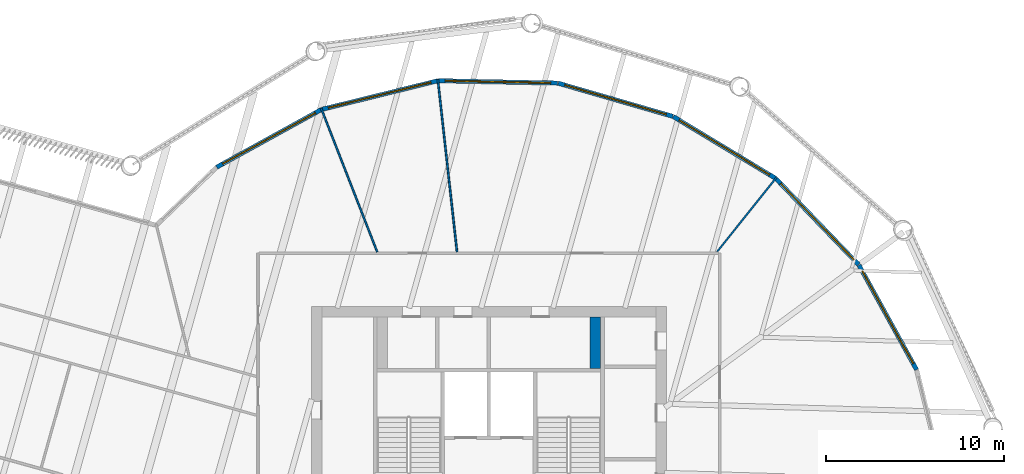
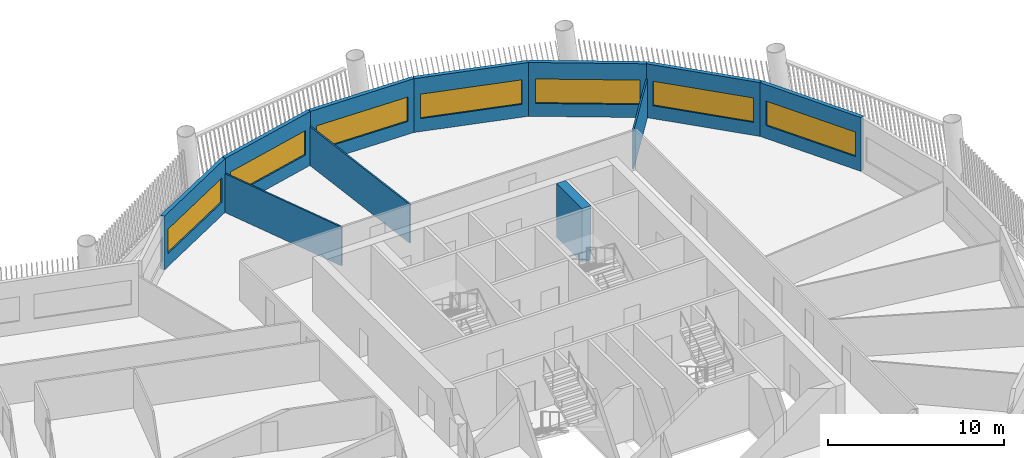
# One storey, part 7 of 15: 11 walls, 7 windows, 7 openings.
"""IFC4 building model written with IfcOpenShell, lengths in metres."""

from ifc_helpers import new_model, si_unit, direction, frame, frame_2d, origin, place, context, subcontext, project, spatial, rectangle, extrude, material, layer, layer_set, type_object, element, fill, save


model = new_model("IFC4")

# Units and contexts
model_context = context("Model", 3, precision=1e-05, world=origin(), true_north=direction((0.0, 1.0)))
body_context = subcontext(model_context, "Body", "Model", "MODEL_VIEW")
ifc_project = project(units=[si_unit("LENGTHUNIT", "METRE"), si_unit("AREAUNIT", "SQUARE_METRE"), si_unit("VOLUMEUNIT", "CUBIC_METRE"), si_unit("PLANEANGLEUNIT", "RADIAN"), si_unit("MASSUNIT", "GRAM", prefix="KILO")], contexts=[model_context])

# Site, building, storey
site_placement = place(None, origin())
site = spatial("IfcSite", under=ifc_project, at=site_placement, CompositionType="ELEMENT")
building_placement = place(site_placement, origin())
building = spatial("IfcBuilding", under=site, at=building_placement, Name="Tarsis Ring Headquarters", CompositionType="ELEMENT")
storey_placement = place(building_placement, frame((0.0, 0.0, 219.89990234375)))
storey = spatial("IfcBuildingStorey", under=building, at=storey_placement, Name="L51", CompositionType="ELEMENT", Elevation=219.89990234375)

# Walls
ifc_material_1 = material(Name="Gypsum board on steel studs", Category="steel")
ifc_layer_1 = layer(ifc_material_1, 0.10009765625)
ifc_layer_set_1 = layer_set([ifc_layer_1], Name="FL partition 100 unrated")
wall_type_1 = type_object("IfcWallType", Name="FL partition 100 unrated", PredefinedType="PARTITIONING", material=ifc_layer_set_1)
wall_1_placement = place(storey_placement, frame((-2.87451171875, 25.7880859375, 0.0), z_axis=(0.0, 0.0, 1.0), x_axis=(0.110801449291, -0.993842562399, 0.0)))
element("IfcWall", 1, at=wall_1_placement, inside=storey, type_object=wall_type_1, Name="Partition PW3", PredefinedType="PARTITIONING", context=body_context, shape_type="SweptSolid", body=[
    extrude(rectangle(XDim=9.77880859375, YDim=0.10009765625, at=frame_2d((4.889404296875, 0.0))), origin(), (0.0, 0.0, 1.0), 2.7001953125),
])
wall_2_placement = place(storey_placement, frame((-9.450927734375, 24.16552734375, 0.0), z_axis=(0.0, 0.0, 1.0), x_axis=(0.364223454374, -0.93131158872, 0.0)))
element("IfcWall", 2, at=wall_2_placement, inside=storey, type_object=wall_type_1, Name="Partition PW3", PredefinedType="PARTITIONING", context=body_context, shape_type="SweptSolid", body=[
    extrude(rectangle(XDim=8.687744140625, YDim=0.10009765625, at=frame_2d((4.34375, 0.0))), origin(), (0.0, 0.0, 1.0), 2.7001953125),
])
wall_3_placement = place(storey_placement, frame((12.859619140625, 16.0859375, 0.0), z_axis=(0.0, 0.0, 1.0), x_axis=(0.624405810541, 0.781100111229, 0.0)))
element("IfcWall", 3, at=wall_3_placement, inside=storey, type_object=wall_type_1, Name="Partition PW3", PredefinedType="PARTITIONING", context=body_context, shape_type="SweptSolid", body=[
    extrude(rectangle(XDim=5.353515625, YDim=0.10009765625, at=frame_2d((2.6767578125, 0.0))), origin(), (0.0, 0.0, 1.0), 2.7001953125),
])

# Wall, opening, window
ifc_material_2 = material(Name="Terracotta clad insulated panel wall", Category="masonry")
ifc_layer_2 = layer(ifc_material_2, 0.25)
ifc_layer_set_2 = layer_set([ifc_layer_2], Name="Facade wall terracotta panel 250")
wall_type_2 = type_object("IfcWallType", Name="Facade wall terracotta panel 250", PredefinedType="STANDARD", material=ifc_layer_set_2)
wall_4_placement = place(storey_placement, frame((24.088623046875, 9.4384765625, 0.0), z_axis=(0.0, 0.0, 1.0), x_axis=(-0.482654792182, 0.875810682502, 0.0)))
wall_4 = element("IfcWall", 4, at=wall_4_placement, inside=storey, type_object=wall_type_2, Name="External wall L51-23", PredefinedType="STANDARD", context=body_context, shape_type="SweptSolid", body=[
    extrude(rectangle(XDim=6.721435546875, YDim=0.25, at=frame_2d((3.36083984375, 0.0))), origin(), (0.0, 0.0, 1.0), 3.739990234375),
])
opening_1_placement = place(wall_4_placement, frame((0.3857421875, 0.0, 0.89990234375)))
opening_1 = element("IfcOpeningElement", 5, at=opening_1_placement, cuts=wall_4, Name="Opening WN07", PredefinedType="OPENING", context=body_context, shape_type="SweptSolid", body=[
    extrude(rectangle(XDim=5.949951171875, YDim=1.699951171875, at=frame_2d((2.97509765625, 0.85009765625))), frame((0.0, 0.135009765625, 0.0), z_axis=(0.0, -1.0, 0.0), x_axis=(1.0, 0.0, 0.0)), (0.0, 0.0, 1.0), 0.27001953125),
])
ifc_material_3 = material(Name="Aluminium framed double glazing", Category="aluminium")
window_type = type_object("IfcWindowType", Name="Facade window 5950 x 1700", PartitioningType="SINGLE_PANEL", PredefinedType="WINDOW", material=ifc_material_3)
window_1_placement = place(opening_1_placement, origin())
window_1 = element("IfcWindow", 6, at=window_1_placement, inside=storey, type_object=window_type, Name="Window L51-23.1", OverallHeight=1.699951171875, OverallWidth=5.949951171875, PartitioningType="SINGLE_PANEL", PredefinedType="WINDOW", context=body_context, shape_type="SweptSolid", body=[
    extrude(rectangle(XDim=5.949951171875, YDim=1.699951171875, at=frame_2d((2.97509765625, 0.85009765625))), frame((0.0, 0.030029296875, 0.0), z_axis=(0.0, -1.0, 0.0), x_axis=(1.0, 0.0, 0.0)), (0.0, 0.0, 1.0), 0.06005859375),
])
fill(opening_1, window_1)

wall_5_placement = place(storey_placement, frame((20.824951171875, 15.351318359375, 0.0), z_axis=(0.0, 0.0, 1.0), x_axis=(-0.6928916421, 0.721041727161, 0.0)))
wall_5 = element("IfcWall", 7, at=wall_5_placement, inside=storey, type_object=wall_type_2, Name="External wall L51-24", PredefinedType="STANDARD", context=body_context, shape_type="SweptSolid", body=[
    extrude(rectangle(XDim=6.721435546875, YDim=0.25, at=frame_2d((3.36083984375, 0.0))), origin(), (0.0, 0.0, 1.0), 3.739990234375),
])
opening_2_placement = place(wall_5_placement, frame((0.3857421875, 0.0, 0.89990234375)))
opening_2 = element("IfcOpeningElement", 8, at=opening_2_placement, cuts=wall_5, Name="Opening WN07", PredefinedType="OPENING", context=body_context, shape_type="SweptSolid", body=[
    extrude(rectangle(XDim=5.949951171875, YDim=1.699951171875, at=frame_2d((2.97509765625, 0.85009765625))), frame((0.0, 0.135009765625, 0.0), z_axis=(0.0, -1.0, 0.0), x_axis=(1.0, 0.0, 0.0)), (0.0, 0.0, 1.0), 0.27001953125),
])
window_2_placement = place(opening_2_placement, origin())
window_2 = element("IfcWindow", 9, at=window_2_placement, inside=storey, type_object=window_type, Name="Window L51-24.1", OverallHeight=1.699951171875, OverallWidth=5.949951171875, PartitioningType="SINGLE_PANEL", PredefinedType="WINDOW", context=body_context, shape_type="SweptSolid", body=[
    extrude(rectangle(XDim=5.949951171875, YDim=1.699951171875, at=frame_2d((2.97509765625, 0.85009765625))), frame((0.0, 0.030029296875, 0.0), z_axis=(0.0, -1.0, 0.0), x_axis=(1.0, 0.0, 0.0)), (0.0, 0.0, 1.0), 0.06005859375),
])
fill(opening_2, window_2)

wall_6_placement = place(storey_placement, frame((16.142333984375, 20.21826171875, 0.0), z_axis=(0.0, 0.0, 1.0), x_axis=(-0.85591855622, 0.517110650749, 0.0)))
wall_6 = element("IfcWall", 10, at=wall_6_placement, inside=storey, type_object=wall_type_2, Name="External wall L51-25", PredefinedType="STANDARD", context=body_context, shape_type="SweptSolid", body=[
    extrude(rectangle(XDim=6.7216796875, YDim=0.25, at=frame_2d((3.36083984375, 0.0))), origin(), (0.0, 0.0, 1.0), 3.739990234375),
])
opening_3_placement = place(wall_6_placement, frame((0.3857421875, 0.0, 0.89990234375)))
opening_3 = element("IfcOpeningElement", 11, at=opening_3_placement, cuts=wall_6, Name="Opening WN07", PredefinedType="OPENING", context=body_context, shape_type="SweptSolid", body=[
    extrude(rectangle(XDim=5.949951171875, YDim=1.699951171875, at=frame_2d((2.97509765625, 0.85009765625))), frame((0.0, 0.135009765625, 0.0), z_axis=(0.0, -1.0, 0.0), x_axis=(1.0, 0.0, 0.0)), (0.0, 0.0, 1.0), 0.27001953125),
])
window_3_placement = place(opening_3_placement, origin())
window_3 = element("IfcWindow", 12, at=window_3_placement, inside=storey, type_object=window_type, Name="Window L51-25.1", OverallHeight=1.699951171875, OverallWidth=5.949951171875, PartitioningType="SINGLE_PANEL", PredefinedType="WINDOW", context=body_context, shape_type="SweptSolid", body=[
    extrude(rectangle(XDim=5.949951171875, YDim=1.699951171875, at=frame_2d((2.97509765625, 0.85009765625))), frame((0.0, 0.030029296875, 0.0), z_axis=(0.0, -1.0, 0.0), x_axis=(1.0, 0.0, 0.0)), (0.0, 0.0, 1.0), 0.06005859375),
])
fill(opening_3, window_3)

wall_7_placement = place(storey_placement, frame((10.359375, 23.707275390625, 0.0), z_axis=(0.0, 0.0, 1.0), x_axis=(-0.960587748835, 0.277976935712, 0.0)))
wall_7 = element("IfcWall", 13, at=wall_7_placement, inside=storey, type_object=wall_type_2, Name="External wall L51-26", PredefinedType="STANDARD", context=body_context, shape_type="SweptSolid", body=[
    extrude(rectangle(XDim=6.721435546875, YDim=0.25, at=frame_2d((3.36083984375, 0.0))), origin(), (0.0, 0.0, 1.0), 3.739990234375),
])
opening_4_placement = place(wall_7_placement, frame((0.3857421875, 0.0, 0.89990234375)))
opening_4 = element("IfcOpeningElement", 14, at=opening_4_placement, cuts=wall_7, Name="Opening WN07", PredefinedType="OPENING", context=body_context, shape_type="SweptSolid", body=[
    extrude(rectangle(XDim=5.949951171875, YDim=1.699951171875, at=frame_2d((2.97509765625, 0.85009765625))), frame((0.0, 0.135009765625, 0.0), z_axis=(0.0, -1.0, 0.0), x_axis=(1.0, 0.0, 0.0)), (0.0, 0.0, 1.0), 0.27001953125),
])
window_4_placement = place(opening_4_placement, origin())
window_4 = element("IfcWindow", 15, at=window_4_placement, inside=storey, type_object=window_type, Name="Window L51-26.1", OverallHeight=1.699951171875, OverallWidth=5.949951171875, PartitioningType="SINGLE_PANEL", PredefinedType="WINDOW", context=body_context, shape_type="SweptSolid", body=[
    extrude(rectangle(XDim=5.949951171875, YDim=1.699951171875, at=frame_2d((2.97509765625, 0.85009765625))), frame((0.0, 0.030029296875, 0.0), z_axis=(0.0, -1.0, 0.0), x_axis=(1.0, 0.0, 0.0)), (0.0, 0.0, 1.0), 0.06005859375),
])
fill(opening_4, window_4)

wall_8_placement = place(storey_placement, frame((3.870361328125, 25.58056640625, 0.0), z_axis=(0.0, 0.0, 1.0), x_axis=(-0.999801885695, 0.019904506044, 0.0)))
wall_8 = element("IfcWall", 16, at=wall_8_placement, inside=storey, type_object=wall_type_2, Name="External wall L51-27", PredefinedType="STANDARD", context=body_context, shape_type="SweptSolid", body=[
    extrude(rectangle(XDim=6.721435546875, YDim=0.25, at=frame_2d((3.36083984375, 0.0))), origin(), (0.0, 0.0, 1.0), 3.739990234375),
])
opening_5_placement = place(wall_8_placement, frame((0.3857421875, 0.0, 0.89990234375)))
opening_5 = element("IfcOpeningElement", 17, at=opening_5_placement, cuts=wall_8, Name="Opening WN07", PredefinedType="OPENING", context=body_context, shape_type="SweptSolid", body=[
    extrude(rectangle(XDim=5.949951171875, YDim=1.699951171875, at=frame_2d((2.97509765625, 0.85009765625))), frame((0.0, 0.135009765625, 0.0), z_axis=(0.0, -1.0, 0.0), x_axis=(1.0, 0.0, 0.0)), (0.0, 0.0, 1.0), 0.27001953125),
])
window_5_placement = place(opening_5_placement, origin())
window_5 = element("IfcWindow", 18, at=window_5_placement, inside=storey, type_object=window_type, Name="Window L51-27.1", OverallHeight=1.699951171875, OverallWidth=5.949951171875, PartitioningType="SINGLE_PANEL", PredefinedType="WINDOW", context=body_context, shape_type="SweptSolid", body=[
    extrude(rectangle(XDim=5.949951171875, YDim=1.699951171875, at=frame_2d((2.97509765625, 0.85009765625))), frame((0.0, 0.030029296875, 0.0), z_axis=(0.0, -1.0, 0.0), x_axis=(1.0, 0.0, 0.0)), (0.0, 0.0, 1.0), 0.06005859375),
])
fill(opening_5, window_5)

wall_9_placement = place(storey_placement, frame((-2.882080078125, 25.710693359375, 0.0), z_axis=(0.0, 0.0, 1.0), x_axis=(-0.970885693583, -0.239543252869, 0.0)))
wall_9 = element("IfcWall", 19, at=wall_9_placement, inside=storey, type_object=wall_type_2, Name="External wall L51-28", PredefinedType="STANDARD", context=body_context, shape_type="SweptSolid", body=[
    extrude(rectangle(XDim=6.7216796875, YDim=0.25, at=frame_2d((3.36083984375, 0.0))), origin(), (0.0, 0.0, 1.0), 3.739990234375),
])
opening_6_placement = place(wall_9_placement, frame((0.3857421875, 0.0, 0.89990234375)))
opening_6 = element("IfcOpeningElement", 20, at=opening_6_placement, cuts=wall_9, Name="Opening WN07", PredefinedType="OPENING", context=body_context, shape_type="SweptSolid", body=[
    extrude(rectangle(XDim=5.949951171875, YDim=1.699951171875, at=frame_2d((2.97509765625, 0.85009765625))), frame((0.0, 0.135009765625, 0.0), z_axis=(0.0, -1.0, 0.0), x_axis=(1.0, 0.0, 0.0)), (0.0, 0.0, 1.0), 0.27001953125),
])
window_6_placement = place(opening_6_placement, origin())
window_6 = element("IfcWindow", 21, at=window_6_placement, inside=storey, type_object=window_type, Name="Window L51-28.1", OverallHeight=1.699951171875, OverallWidth=5.949951171875, PartitioningType="SINGLE_PANEL", PredefinedType="WINDOW", context=body_context, shape_type="SweptSolid", body=[
    extrude(rectangle(XDim=5.949951171875, YDim=1.699951171875, at=frame_2d((2.97509765625, 0.85009765625))), frame((0.0, 0.030029296875, 0.0), z_axis=(0.0, -1.0, 0.0), x_axis=(1.0, 0.0, 0.0)), (0.0, 0.0, 1.0), 0.06005859375),
])
fill(opening_6, window_6)

wall_10_placement = place(storey_placement, frame((-9.4384765625, 24.088623046875, 0.0), z_axis=(0.0, 0.0, 1.0), x_axis=(-0.875810682502, -0.482654792182, 0.0)))
wall_10 = element("IfcWall", 22, at=wall_10_placement, inside=storey, type_object=wall_type_2, Name="External wall L51-29", PredefinedType="STANDARD", context=body_context, shape_type="SweptSolid", body=[
    extrude(rectangle(XDim=6.721435546875, YDim=0.25, at=frame_2d((3.36083984375, 0.0))), origin(), (0.0, 0.0, 1.0), 3.739990234375),
])
opening_7_placement = place(wall_10_placement, frame((0.3857421875, 0.0, 0.89990234375)))
opening_7 = element("IfcOpeningElement", 23, at=opening_7_placement, cuts=wall_10, Name="Opening WN07", PredefinedType="OPENING", context=body_context, shape_type="SweptSolid", body=[
    extrude(rectangle(XDim=5.949951171875, YDim=1.699951171875, at=frame_2d((2.97509765625, 0.85009765625))), frame((0.0, 0.135009765625, 0.0), z_axis=(0.0, -1.0, 0.0), x_axis=(1.0, 0.0, 0.0)), (0.0, 0.0, 1.0), 0.27001953125),
])
window_7_placement = place(opening_7_placement, origin())
window_7 = element("IfcWindow", 24, at=window_7_placement, inside=storey, type_object=window_type, Name="Window L51-29.1", OverallHeight=1.699951171875, OverallWidth=5.949951171875, PartitioningType="SINGLE_PANEL", PredefinedType="WINDOW", context=body_context, shape_type="SweptSolid", body=[
    extrude(rectangle(XDim=5.949951171875, YDim=1.699951171875, at=frame_2d((2.97509765625, 0.85009765625))), frame((0.0, 0.030029296875, 0.0), z_axis=(0.0, -1.0, 0.0), x_axis=(1.0, 0.0, 0.0)), (0.0, 0.0, 1.0), 0.06005859375),
])
fill(opening_7, window_7)

# Wall
ifc_material_4 = material(Name="Concrete C32/40", Category="concrete")
ifc_layer_3 = layer(ifc_material_4, 0.60009765625)
ifc_layer_set_3 = layer_set([ifc_layer_3], Name="Shaft end wall 600 C32/40")
wall_type_3 = type_object("IfcWallType", Name="Shaft end wall 600 C32/40", PredefinedType="SOLIDWALL", material=ifc_layer_set_3)
wall_11_placement = place(storey_placement, frame((6.0, 9.5, 0.0), z_axis=(0.0, 0.0, 1.0), x_axis=(0.0, 1.0, 0.0)))
element("IfcWall", 25, at=wall_11_placement, inside=storey, type_object=wall_type_3, Name="Core shaft wall NNE2", PredefinedType="SOLIDWALL", context=body_context, shape_type="SweptSolid", body=[
    extrude(rectangle(XDim=2.89990234375, YDim=0.60009765625, at=frame_2d((1.449951171875, 0.0))), origin(), (0.0, 0.0, 1.0), 3.739990234375),
])

save(model, "model.ifc")
